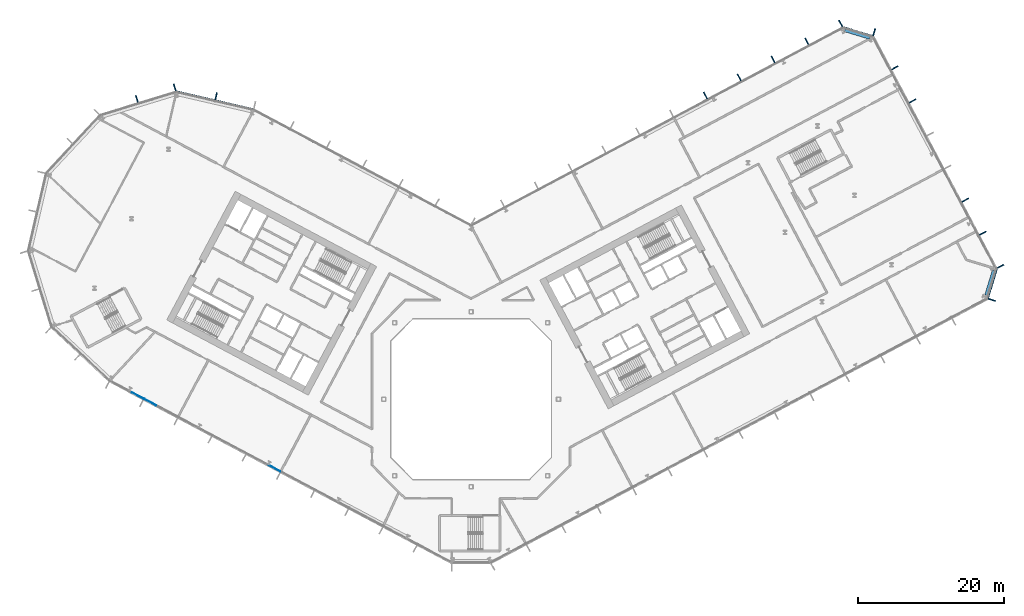
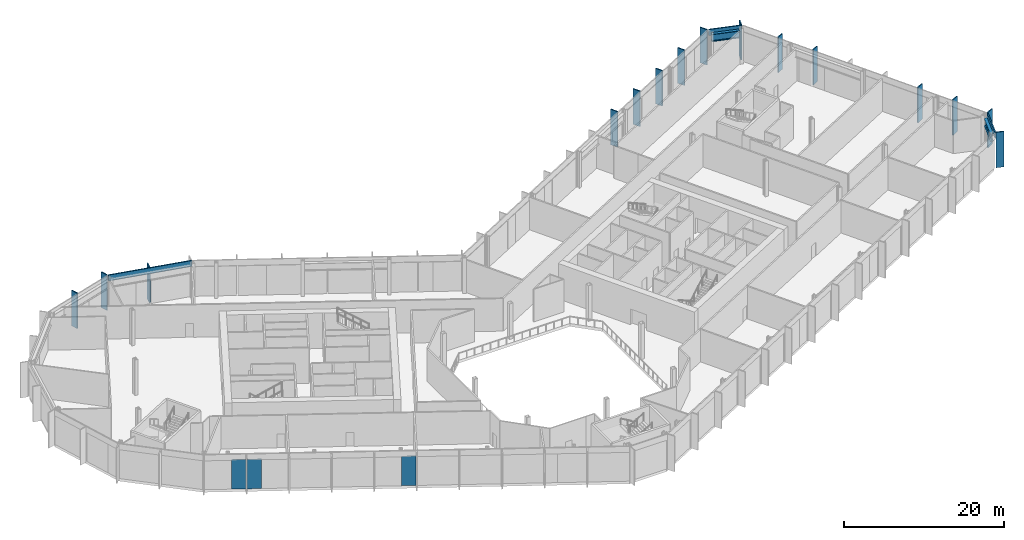
# One storey, part 8 of 31: 18 members, 3 plates, 2 beams, 7 elements without a shape of their own.
"""IFC4 building model written with IfcOpenShell, lengths in metres."""

from ifc_helpers import new_model, si_unit, direction, frame, origin, origin_2d, place, context, subcontext, project, spatial, rectangle, i_section, extrude, material, layer, layer_set, material_profile, profile_set, type_object, element, aggregate, save


model = new_model("IFC4")

# Units and contexts
model_context = context("Model", 3, precision=1e-05, world=origin(), true_north=direction((0.0, 1.0)))
body_context = subcontext(model_context, "Body", "Model", "MODEL_VIEW")
ifc_project = project(units=[si_unit("LENGTHUNIT", "METRE"), si_unit("AREAUNIT", "SQUARE_METRE"), si_unit("VOLUMEUNIT", "CUBIC_METRE"), si_unit("PLANEANGLEUNIT", "RADIAN"), si_unit("MASSUNIT", "GRAM", prefix="KILO")], contexts=[model_context])

# Site, building, storey
site_placement = place(None, origin())
site = spatial("IfcSite", under=ifc_project, at=site_placement, CompositionType="ELEMENT")
building_placement = place(site_placement, origin())
building = spatial("IfcBuilding", under=site, at=building_placement, Name="Cormorant Relay Tower", CompositionType="ELEMENT")
storey_placement = place(building_placement, frame((0.0, 0.0, 33.800048828125)))
storey = spatial("IfcBuildingStorey", under=building, at=storey_placement, Name="L06", CompositionType="ELEMENT", Elevation=33.800048828125)

# Curtain wall, member
ifc_material_1 = material(Name="Aluminium 6063-T6 anodised bronze", Category="aluminium")
ifc_layer_1 = layer(ifc_material_1, 0.235107421875)
ifc_layer_set_1 = layer_set([ifc_layer_1], Name="CW6 data hall curtain wall with mineral wool panels")
curtain_wall_type = type_object("IfcCurtainWallType", Name="CW6 data hall curtain wall with mineral wool panels", PredefinedType="NOTDEFINED", material=ifc_layer_set_1)
curtain_wall_1_placement = place(storey_placement, origin())
curtain_wall_1 = element("IfcCurtainWall", 1, at=curtain_wall_1_placement, inside=storey, type_object=curtain_wall_type, Name="CW6 curtain wall 3", PredefinedType="NOTDEFINED")
ifc_material_2 = material(Name="Aluminium 6063-T6 anodised bronze", Category="aluminium")
ifc_material_profile_1 = material_profile(ifc_material_2, rectangle(XDim=0.14990234375, YDim=1.0, at=origin_2d()), Name="AL 150x1000")
ifc_profile_set_1 = profile_set([ifc_material_profile_1], Name="Aluminium 6063-T6 anodised bronze")
member_type_1 = type_object("IfcMemberType", Name="CW6 bronze fin mullion 150 x 1000", PredefinedType="MULLION", material=ifc_profile_set_1)
member_1_placement = place(storey_placement, frame((71.485107421875, 13.63671875, 0.0), z_axis=(0.0, 0.0, 1.0), x_axis=(0.292371704723, 0.956304755963, 0.0)))
member_1 = element("IfcMember", 2, at=member_1_placement, type_object=member_type_1, Name="CW6 fin 3.1", PredefinedType="MULLION", context=body_context, shape_type="SweptSolid", body=[
    extrude(rectangle(XDim=0.14990234375, YDim=1.0, at=origin_2d()), origin(), (0.0, 0.0, 1.0), 5.39990234375),
])

# Curtain wall, members
curtain_wall_2_placement = place(storey_placement, origin())
curtain_wall_2 = element("IfcCurtainWall", 3, at=curtain_wall_2_placement, inside=storey, type_object=curtain_wall_type, Name="CW6 curtain wall 4", PredefinedType="NOTDEFINED")
member_2_placement = place(storey_placement, frame((72.671630859375, 18.25390625, 0.0), z_axis=(0.0, 0.0, 1.0), x_axis=(-0.469471562786, 0.882947592859, 0.0)))
member_2 = element("IfcMember", 4, at=member_2_placement, type_object=member_type_1, Name="CW6 fin 4.1", PredefinedType="MULLION", context=body_context, shape_type="SweptSolid", body=[
    extrude(rectangle(XDim=0.14990234375, YDim=1.0, at=origin_2d()), origin(), (0.0, 0.0, 1.0), 5.39990234375),
])
member_3_placement = place(storey_placement, frame((70.25732421875, 22.794921875, 0.0), z_axis=(0.0, 0.0, 1.0), x_axis=(-0.469471562786, 0.882947592859, 0.0)))
member_3 = element("IfcMember", 5, at=member_3_placement, type_object=member_type_1, Name="CW6 fin 4.2", PredefinedType="MULLION", context=body_context, shape_type="SweptSolid", body=[
    extrude(rectangle(XDim=0.14990234375, YDim=1.0, at=origin_2d()), origin(), (0.0, 0.0, 1.0), 5.39990234375),
])
member_4_placement = place(storey_placement, frame((67.8427734375, 27.335693359375, 0.0), z_axis=(0.0, 0.0, 1.0), x_axis=(-0.469471562786, 0.882947592859, 0.0)))
member_4 = element("IfcMember", 6, at=member_4_placement, type_object=member_type_1, Name="CW6 fin 4.3", PredefinedType="MULLION", context=body_context, shape_type="SweptSolid", body=[
    extrude(rectangle(XDim=0.14990234375, YDim=1.0, at=origin_2d()), origin(), (0.0, 0.0, 1.0), 5.39990234375),
])
member_5_placement = place(storey_placement, frame((60.599609375, 40.958251953125, 0.0), z_axis=(0.0, 0.0, 1.0), x_axis=(-0.469471562786, 0.882947592859, 0.0)))
member_5 = element("IfcMember", 7, at=member_5_placement, type_object=member_type_1, Name="CW6 fin 4.6", PredefinedType="MULLION", context=body_context, shape_type="SweptSolid", body=[
    extrude(rectangle(XDim=0.14990234375, YDim=1.0, at=origin_2d()), origin(), (0.0, 0.0, 1.0), 5.39990234375),
])
member_6_placement = place(storey_placement, frame((58.18505859375, 45.499267578125, 0.0), z_axis=(0.0, 0.0, 1.0), x_axis=(-0.469471562786, 0.882947592859, 0.0)))
member_6 = element("IfcMember", 8, at=member_6_placement, type_object=member_type_1, Name="CW6 fin 4.7", PredefinedType="MULLION", context=body_context, shape_type="SweptSolid", body=[
    extrude(rectangle(XDim=0.14990234375, YDim=1.0, at=origin_2d()), origin(), (0.0, 0.0, 1.0), 5.39990234375),
])
aggregate(curtain_wall_2, [member_2, member_3, member_4, member_5, member_6])

# Curtain wall, member
curtain_wall_3_placement = place(storey_placement, origin())
curtain_wall_3 = element("IfcCurtainWall", 9, at=curtain_wall_3_placement, inside=storey, type_object=curtain_wall_type, Name="CW6 curtain wall 5", PredefinedType="NOTDEFINED")
member_7_placement = place(storey_placement, frame((55.336669921875, 50.39794921875, 0.0), z_axis=(0.0, 0.0, 1.0), x_axis=(-0.956304755963, 0.292371704723, 0.0)))
member_7 = element("IfcMember", 10, at=member_7_placement, type_object=member_type_1, Name="CW6 fin 5.1", PredefinedType="MULLION", context=body_context, shape_type="SweptSolid", body=[
    extrude(rectangle(XDim=0.14990234375, YDim=1.0, at=origin_2d()), origin(), (0.0, 0.0, 1.0), 5.39990234375),
])

# Curtain wall, members
curtain_wall_4_placement = place(storey_placement, origin())
curtain_wall_4 = element("IfcCurtainWall", 11, at=curtain_wall_4_placement, inside=storey, type_object=curtain_wall_type, Name="CW6 curtain wall 6", PredefinedType="NOTDEFINED")
member_8_placement = place(storey_placement, frame((50.719482421875, 51.58447265625, 0.0), z_axis=(0.0, 0.0, 1.0), x_axis=(-0.882947592859, -0.469471562786, 0.0)))
member_8 = element("IfcMember", 12, at=member_8_placement, type_object=member_type_1, Name="CW6 fin 6.1", PredefinedType="MULLION", context=body_context, shape_type="SweptSolid", body=[
    extrude(rectangle(XDim=0.14990234375, YDim=1.0, at=origin_2d()), origin(), (0.0, 0.0, 1.0), 5.39990234375),
])
member_9_placement = place(storey_placement, frame((46.0771484375, 49.1162109375, 0.0), z_axis=(0.0, 0.0, 1.0), x_axis=(-0.882947592859, -0.469471562786, 0.0)))
member_9 = element("IfcMember", 13, at=member_9_placement, type_object=member_type_1, Name="CW6 fin 6.2", PredefinedType="MULLION", context=body_context, shape_type="SweptSolid", body=[
    extrude(rectangle(XDim=0.14990234375, YDim=1.0, at=origin_2d()), origin(), (0.0, 0.0, 1.0), 5.39990234375),
])
member_10_placement = place(storey_placement, frame((41.43505859375, 46.647705078125, 0.0), z_axis=(0.0, 0.0, 1.0), x_axis=(-0.882947592859, -0.469471562786, 0.0)))
member_10 = element("IfcMember", 14, at=member_10_placement, type_object=member_type_1, Name="CW6 fin 6.3", PredefinedType="MULLION", context=body_context, shape_type="SweptSolid", body=[
    extrude(rectangle(XDim=0.14990234375, YDim=1.0, at=origin_2d()), origin(), (0.0, 0.0, 1.0), 5.39990234375),
])
member_11_placement = place(storey_placement, frame((36.792724609375, 44.179443359375, 0.0), z_axis=(0.0, 0.0, 1.0), x_axis=(-0.882947592859, -0.469471562786, 0.0)))
member_11 = element("IfcMember", 15, at=member_11_placement, type_object=member_type_1, Name="CW6 fin 6.4", PredefinedType="MULLION", context=body_context, shape_type="SweptSolid", body=[
    extrude(rectangle(XDim=0.14990234375, YDim=1.0, at=origin_2d()), origin(), (0.0, 0.0, 1.0), 5.39990234375),
])
member_12_placement = place(storey_placement, frame((32.150390625, 41.711181640625, 0.0), z_axis=(0.0, 0.0, 1.0), x_axis=(-0.882947592859, -0.469471562786, 0.0)))
member_12 = element("IfcMember", 16, at=member_12_placement, type_object=member_type_1, Name="CW6 fin 6.5", PredefinedType="MULLION", context=body_context, shape_type="SweptSolid", body=[
    extrude(rectangle(XDim=0.14990234375, YDim=1.0, at=origin_2d()), origin(), (0.0, 0.0, 1.0), 5.39990234375),
])
aggregate(curtain_wall_4, [member_8, member_9, member_10, member_11, member_12])

# Curtain wall, member
curtain_wall_5_placement = place(storey_placement, origin())
curtain_wall_5 = element("IfcCurtainWall", 17, at=curtain_wall_5_placement, inside=storey, type_object=curtain_wall_type, Name="CW6 curtain wall 8", PredefinedType="NOTDEFINED")
member_13_placement = place(storey_placement, frame((-35.00439453125, 41.60693359375, 0.0), z_axis=(0.0, 0.0, 1.0), x_axis=(-0.974370064785, 0.224951054344, 0.0)))
member_13 = element("IfcMember", 18, at=member_13_placement, type_object=member_type_1, Name="CW6 fin 8.2", PredefinedType="MULLION", context=body_context, shape_type="SweptSolid", body=[
    extrude(rectangle(XDim=0.14990234375, YDim=1.0, at=origin_2d()), origin(), (0.0, 0.0, 1.0), 5.39990234375),
])

# Curtain wall, members
curtain_wall_6_placement = place(storey_placement, origin())
curtain_wall_6 = element("IfcCurtainWall", 19, at=curtain_wall_6_placement, inside=storey, type_object=curtain_wall_type, Name="CW6 curtain wall 9", PredefinedType="NOTDEFINED")
member_14_placement = place(storey_placement, frame((-40.680419921875, 42.81640625, 0.0), z_axis=(0.0, 0.0, 1.0), x_axis=(-0.956304755963, -0.292371704723, 0.0)))
member_14 = element("IfcMember", 20, at=member_14_placement, type_object=member_type_1, Name="CW6 fin 9.1", PredefinedType="MULLION", context=body_context, shape_type="SweptSolid", body=[
    extrude(rectangle(XDim=0.14990234375, YDim=1.0, at=origin_2d()), origin(), (0.0, 0.0, 1.0), 5.39990234375),
])
member_15_placement = place(storey_placement, frame((-45.878173828125, 41.227294921875, 0.0), z_axis=(0.0, 0.0, 1.0), x_axis=(-0.956304755963, -0.292371704723, 0.0)))
member_15 = element("IfcMember", 21, at=member_15_placement, type_object=member_type_1, Name="CW6 fin 9.2", PredefinedType="MULLION", context=body_context, shape_type="SweptSolid", body=[
    extrude(rectangle(XDim=0.14990234375, YDim=1.0, at=origin_2d()), origin(), (0.0, 0.0, 1.0), 5.39990234375),
])
aggregate(curtain_wall_6, [member_14, member_15])

# Member
ifc_material_3 = material(Name="Aluminium 6063-T6 anodised bronze", Category="aluminium")
ifc_material_profile_2 = material_profile(ifc_material_3, rectangle(XDim=0.159912109375, YDim=0.89990234375, at=origin_2d()), Name="AL 160x900")
ifc_profile_set_2 = profile_set([ifc_material_profile_2], Name="Aluminium 6063-T6 anodised bronze")
member_type_2 = type_object("IfcMemberType", Name="CW6 bronze transom 160 x 900", PredefinedType="USERDEFINED", material=ifc_profile_set_2)
member_16_placement = place(storey_placement, frame((70.930419921875, 13.806396484375, 4.949951171875), z_axis=(0.292391046905, 0.95629884225, 0.0), x_axis=(-0.95629884225, 0.292391046905, 0.0)))
member_16 = element("IfcMember", 22, at=member_16_placement, type_object=member_type_2, Name="CW6 transom 3", ObjectType="TRANSOM", PredefinedType="USERDEFINED", context=body_context, shape_type="SweptSolid", body=[
    extrude(rectangle(XDim=0.159912109375, YDim=0.89990234375, at=origin_2d()), origin(), (0.0, 0.0, 1.0), 4.242431640625),
])

aggregate(curtain_wall_1, [member_1, member_16])

member_17_placement = place(storey_placement, frame((55.1669921875, 49.84326171875, 4.949951171875), z_axis=(-0.95629884225, 0.292391046905, 0.0), x_axis=(-0.292391046905, -0.95629884225, 0.0)))
member_17 = element("IfcMember", 23, at=member_17_placement, type_object=member_type_2, Name="CW6 transom 5", ObjectType="TRANSOM", PredefinedType="USERDEFINED", context=body_context, shape_type="SweptSolid", body=[
    extrude(rectangle(XDim=0.159912109375, YDim=0.89990234375, at=origin_2d()), origin(), (0.0, 0.0, 1.0), 4.242431640625),
])

aggregate(curtain_wall_3, [member_7, member_17])

member_18_placement = place(storey_placement, frame((-29.8388671875, 39.819091796875, 4.949951171875), z_axis=(-0.974369993916, 0.22495136131, 0.0), x_axis=(-0.22495136131, -0.974369993916, 0.0)))
member_18 = element("IfcMember", 24, at=member_18_placement, type_object=member_type_2, Name="CW6 transom 8", ObjectType="TRANSOM", PredefinedType="USERDEFINED", context=body_context, shape_type="SweptSolid", body=[
    extrude(rectangle(XDim=0.159912109375, YDim=0.89990234375, at=origin_2d()), origin(), (0.0, 0.0, 1.0), 10.870361328125),
])

aggregate(curtain_wall_5, [member_13, member_18])

# Beams
ifc_material_4 = material(Name="Steel ASTM A992 (Fy 345 MPa)", Category="steel")
ifc_material_profile_3 = material_profile(ifc_material_4, i_section(OverallWidth=0.408935546875, OverallDepth=1.137939453125, WebThickness=0.031005859375, FlangeThickness=0.05517578125, FilletRadius=0.02001953125, at=origin_2d()), Name="W1100x607")
ifc_profile_set_3 = profile_set([ifc_material_profile_3], Name="Steel ASTM A992 (Fy 345 MPa)")
beam_type = type_object("IfcBeamType", Name="Spandrel W1100x607", PredefinedType="SPANDREL", material=ifc_profile_set_3)
beam_1_placement = place(storey_placement, frame((70.697998046875, 14.275390625, 4.380859375), z_axis=(0.292400100269, 0.956296074112, 0.0), x_axis=(-0.956296074112, 0.292400100269, 0.0)))
element("IfcBeam", 25, at=beam_1_placement, inside=storey, type_object=beam_type, Name="Spandrel beam L06-003", PredefinedType="SPANDREL", context=body_context, shape_type="SweptSolid", body=[
    extrude(i_section(OverallWidth=0.408935546875, OverallDepth=1.137939453125, WebThickness=0.031005859375, FlangeThickness=0.05517578125, FilletRadius=0.02001953125, at=origin_2d()), origin(), (0.0, 0.0, 1.0), 3.552734375),
])
beam_2_placement = place(storey_placement, frame((54.697998046875, 49.61083984375, 4.380859375), z_axis=(-0.956309414252, 0.292356467713, 0.0), x_axis=(-0.292356467713, -0.956309414252, 0.0)))
element("IfcBeam", 26, at=beam_2_placement, inside=storey, type_object=beam_type, Name="Spandrel beam L06-005", PredefinedType="SPANDREL", context=body_context, shape_type="SweptSolid", body=[
    extrude(i_section(OverallWidth=0.408935546875, OverallDepth=1.137939453125, WebThickness=0.031005859375, FlangeThickness=0.05517578125, FilletRadius=0.02001953125, at=origin_2d()), origin(), (0.0, 0.0, 1.0), 3.552490234375),
])

# Curtain wall, plates
curtain_wall_7_placement = place(storey_placement, origin())
curtain_wall_7 = element("IfcCurtainWall", 27, at=curtain_wall_7_placement, inside=storey, type_object=curtain_wall_type, Name="CW6 curtain wall 14", PredefinedType="NOTDEFINED")
ifc_material_5 = material(Name="Tinted triple-glazed laminated unit")
ifc_layer_2 = layer(ifc_material_5, 0.074951171875)
ifc_layer_set_2 = layer_set([ifc_layer_2], Name="CW6 triple-glazed vision unit 1800 module")
plate_type = type_object("IfcPlateType", Name="CW6 triple-glazed vision unit 1800 module", PredefinedType="CURTAIN_PANEL", material=ifc_layer_set_2)
plate_1_placement = place(storey_placement, frame((-45.77587890625, 0.512939453125, 0.0), z_axis=(0.0, 0.0, 1.0), x_axis=(0.882947592859, -0.469471562786, 0.0)))
plate_1 = element("IfcPlate", 28, at=plate_1_placement, type_object=plate_type, Name="CW6 panel V01", PredefinedType="CURTAIN_PANEL", context=body_context, shape_type="SweptSolid", body=[
    extrude(rectangle(XDim=1.800048828125, YDim=0.074951171875, at=origin_2d()), origin(), (0.0, 0.0, 1.0), 4.5),
])
plate_2_placement = place(storey_placement, frame((-44.053955078125, -0.402587890625, 0.0), z_axis=(0.0, 0.0, 1.0), x_axis=(0.882947592859, -0.469471562786, 0.0)))
plate_2 = element("IfcPlate", 29, at=plate_2_placement, type_object=plate_type, Name="CW6 panel V02", PredefinedType="CURTAIN_PANEL", context=body_context, shape_type="SweptSolid", body=[
    extrude(rectangle(XDim=1.800048828125, YDim=0.074951171875, at=origin_2d()), origin(), (0.0, 0.0, 1.0), 4.5),
])
plate_3_placement = place(storey_placement, frame((-26.998779296875, -9.470947265625, 0.0), z_axis=(0.0, 0.0, 1.0), x_axis=(0.882947592859, -0.469471562786, 0.0)))
plate_3 = element("IfcPlate", 30, at=plate_3_placement, type_object=plate_type, Name="CW6 panel V05", PredefinedType="CURTAIN_PANEL", context=body_context, shape_type="SweptSolid", body=[
    extrude(rectangle(XDim=1.800048828125, YDim=0.074951171875, at=origin_2d()), origin(), (0.0, 0.0, 1.0), 4.5),
])
aggregate(curtain_wall_7, [plate_1, plate_2, plate_3])

save(model, "model.ifc")
